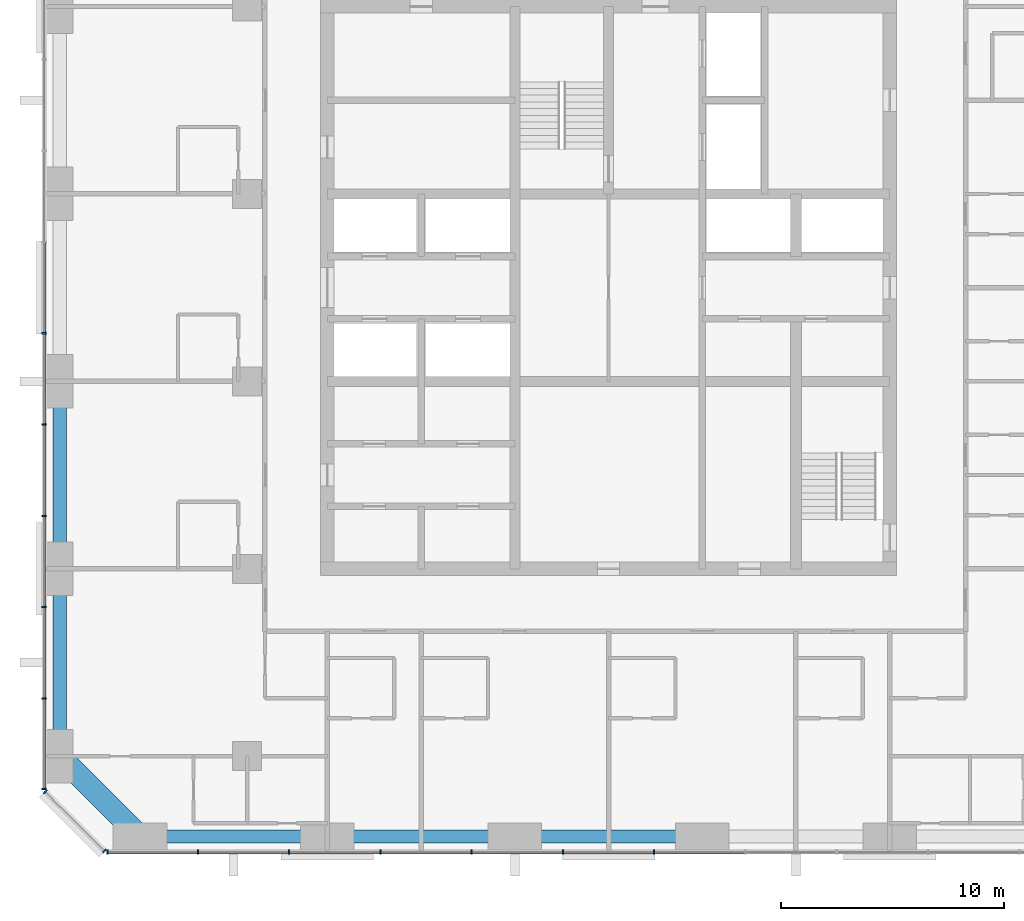
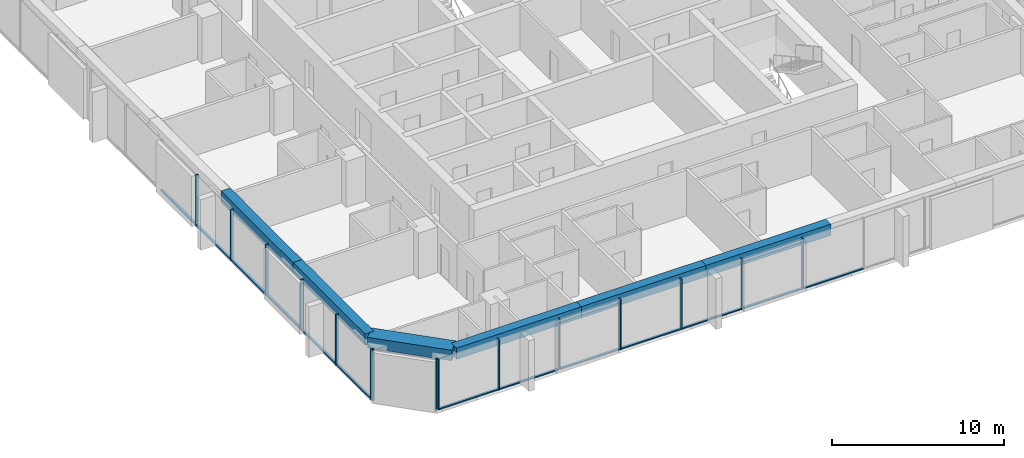
# One storey, part 2 of 13: 28 members, 6 beams, 3 elements without a shape of their own.
"""IFC4 building model written with IfcOpenShell, lengths in metres."""

from ifc_helpers import new_model, si_unit, direction, frame, origin, origin_2d, place, context, subcontext, project, spatial, rectangle, extrude, material, material_profile, profile_set, type_object, element, aggregate, save


model = new_model("IFC4")

# Units and contexts
model_context = context("Model", 3, precision=1e-05, world=origin(), true_north=direction((0.0, 1.0)))
body_context = subcontext(model_context, "Body", "Model", "MODEL_VIEW")
ifc_project = project(units=[si_unit("LENGTHUNIT", "METRE"), si_unit("AREAUNIT", "SQUARE_METRE"), si_unit("VOLUMEUNIT", "CUBIC_METRE"), si_unit("PLANEANGLEUNIT", "RADIAN"), si_unit("MASSUNIT", "GRAM", prefix="KILO")], contexts=[model_context])

# Site, building, storey
site_placement = place(None, origin())
site = spatial("IfcSite", under=ifc_project, at=site_placement, CompositionType="ELEMENT")
building_placement = place(site_placement, origin())
building = spatial("IfcBuilding", under=site, at=building_placement, Name="Dunama Terrace Hotel", CompositionType="ELEMENT")
storey_placement = place(building_placement, frame((0.0, 0.0, 191.39990234375)))
storey = spatial("IfcBuildingStorey", under=building, at=storey_placement, Name="L49", CompositionType="ELEMENT", Elevation=191.39990234375)

# Curtain wall, members
ifc_material_1 = material(Name="Aluminium curtain wall system", Category="aluminium")
curtain_wall_type = type_object("IfcCurtainWallType", Name="Unitised fritted glass wall CW-C", PredefinedType="NOTDEFINED", material=ifc_material_1)
curtain_wall_1_placement = place(storey_placement, origin())
curtain_wall_1 = element("IfcCurtainWall", 1, at=curtain_wall_1_placement, inside=storey, type_object=curtain_wall_type, Name="Unitised fritted glass wall CW-C L49", PredefinedType="NOTDEFINED")
ifc_material_2 = material(Name="Aluminium mullion", Category="aluminium")
ifc_material_profile_1 = material_profile(ifc_material_2, rectangle(XDim=0.070068359375, YDim=0.199951171875, at=origin_2d()), Name="CWC MULLION 70X200")
ifc_profile_set_1 = profile_set([ifc_material_profile_1], Name="Aluminium mullion")
member_type_1 = type_object("IfcMemberType", Name="CWC mullion 70x200", PredefinedType="MULLION", material=ifc_profile_set_1)
member_1_placement = place(storey_placement, frame((6.93505859375, 4.10009765625, 0.0), z_axis=(0.0, 0.0, 1.0), x_axis=(1.0, 0.0, 0.0)))
member_1 = element("IfcMember", 2, at=member_1_placement, type_object=member_type_1, Name="CWC mullion", PredefinedType="MULLION", context=body_context, shape_type="SweptSolid", body=[
    extrude(rectangle(XDim=0.070068359375, YDim=0.199951171875, at=origin_2d()), origin(), (0.0, 0.0, 1.0), 3.60009765625),
])
member_2_placement = place(storey_placement, frame((10.990966796875, 4.10009765625, 0.0), z_axis=(0.0, 0.0, 1.0), x_axis=(1.0, 0.0, 0.0)))
member_2 = element("IfcMember", 3, at=member_2_placement, type_object=member_type_1, Name="CWC mullion", PredefinedType="MULLION", context=body_context, shape_type="SweptSolid", body=[
    extrude(rectangle(XDim=0.070068359375, YDim=0.199951171875, at=origin_2d()), origin(), (0.0, 0.0, 1.0), 3.60009765625),
])
member_3_placement = place(storey_placement, frame((15.08203125, 4.10009765625, 0.0), z_axis=(0.0, 0.0, 1.0), x_axis=(1.0, 0.0, 0.0)))
member_3 = element("IfcMember", 4, at=member_3_placement, type_object=member_type_1, Name="CWC mullion", PredefinedType="MULLION", context=body_context, shape_type="SweptSolid", body=[
    extrude(rectangle(XDim=0.070068359375, YDim=0.199951171875, at=origin_2d()), origin(), (0.0, 0.0, 1.0), 3.60009765625),
])
member_4_placement = place(storey_placement, frame((19.173095703125, 4.10009765625, 0.0), z_axis=(0.0, 0.0, 1.0), x_axis=(1.0, 0.0, 0.0)))
member_4 = element("IfcMember", 5, at=member_4_placement, type_object=member_type_1, Name="CWC mullion", PredefinedType="MULLION", context=body_context, shape_type="SweptSolid", body=[
    extrude(rectangle(XDim=0.070068359375, YDim=0.199951171875, at=origin_2d()), origin(), (0.0, 0.0, 1.0), 3.60009765625),
])
member_5_placement = place(storey_placement, frame((23.263916015625, 4.10009765625, 0.0), z_axis=(0.0, 0.0, 1.0), x_axis=(1.0, 0.0, 0.0)))
member_5 = element("IfcMember", 6, at=member_5_placement, type_object=member_type_1, Name="CWC mullion", PredefinedType="MULLION", context=body_context, shape_type="SweptSolid", body=[
    extrude(rectangle(XDim=0.070068359375, YDim=0.199951171875, at=origin_2d()), origin(), (0.0, 0.0, 1.0), 3.60009765625),
])
member_6_placement = place(storey_placement, frame((27.35498046875, 4.10009765625, 0.0), z_axis=(0.0, 0.0, 1.0), x_axis=(1.0, 0.0, 0.0)))
member_6 = element("IfcMember", 7, at=member_6_placement, type_object=member_type_1, Name="CWC mullion", PredefinedType="MULLION", context=body_context, shape_type="SweptSolid", body=[
    extrude(rectangle(XDim=0.070068359375, YDim=0.199951171875, at=origin_2d()), origin(), (0.0, 0.0, 1.0), 3.60009765625),
])
member_7_placement = place(storey_placement, frame((31.445068359375, 4.10009765625, 0.0), z_axis=(0.0, 0.0, 1.0), x_axis=(1.0, 0.0, 0.0)))
member_7 = element("IfcMember", 8, at=member_7_placement, type_object=member_type_1, Name="CWC mullion", PredefinedType="MULLION", context=body_context, shape_type="SweptSolid", body=[
    extrude(rectangle(XDim=0.070068359375, YDim=0.199951171875, at=origin_2d()), origin(), (0.0, 0.0, 1.0), 3.60009765625),
])

curtain_wall_2_placement = place(storey_placement, origin())
curtain_wall_2 = element("IfcCurtainWall", 9, at=curtain_wall_2_placement, inside=storey, type_object=curtain_wall_type, Name="Unitised fritted glass wall CW-C L49", PredefinedType="NOTDEFINED")
member_8_placement = place(storey_placement, frame((4.10009765625, 27.35498046875, 0.0), z_axis=(0.0, 0.0, 1.0), x_axis=(0.0, -1.0, 0.0)))
member_8 = element("IfcMember", 10, at=member_8_placement, type_object=member_type_1, Name="CWC mullion", PredefinedType="MULLION", context=body_context, shape_type="SweptSolid", body=[
    extrude(rectangle(XDim=0.070068359375, YDim=0.199951171875, at=origin_2d()), origin(), (0.0, 0.0, 1.0), 3.60009765625),
])
member_9_placement = place(storey_placement, frame((4.10009765625, 23.263916015625, 0.0), z_axis=(0.0, 0.0, 1.0), x_axis=(0.0, -1.0, 0.0)))
member_9 = element("IfcMember", 11, at=member_9_placement, type_object=member_type_1, Name="CWC mullion", PredefinedType="MULLION", context=body_context, shape_type="SweptSolid", body=[
    extrude(rectangle(XDim=0.070068359375, YDim=0.199951171875, at=origin_2d()), origin(), (0.0, 0.0, 1.0), 3.60009765625),
])
member_10_placement = place(storey_placement, frame((4.10009765625, 19.173095703125, 0.0), z_axis=(0.0, 0.0, 1.0), x_axis=(0.0, -1.0, 0.0)))
member_10 = element("IfcMember", 12, at=member_10_placement, type_object=member_type_1, Name="CWC mullion", PredefinedType="MULLION", context=body_context, shape_type="SweptSolid", body=[
    extrude(rectangle(XDim=0.070068359375, YDim=0.199951171875, at=origin_2d()), origin(), (0.0, 0.0, 1.0), 3.60009765625),
])
member_11_placement = place(storey_placement, frame((4.10009765625, 15.08203125, 0.0), z_axis=(0.0, 0.0, 1.0), x_axis=(0.0, -1.0, 0.0)))
member_11 = element("IfcMember", 13, at=member_11_placement, type_object=member_type_1, Name="CWC mullion", PredefinedType="MULLION", context=body_context, shape_type="SweptSolid", body=[
    extrude(rectangle(XDim=0.070068359375, YDim=0.199951171875, at=origin_2d()), origin(), (0.0, 0.0, 1.0), 3.60009765625),
])
member_12_placement = place(storey_placement, frame((4.10009765625, 10.990966796875, 0.0), z_axis=(0.0, 0.0, 1.0), x_axis=(0.0, -1.0, 0.0)))
member_12 = element("IfcMember", 14, at=member_12_placement, type_object=member_type_1, Name="CWC mullion", PredefinedType="MULLION", context=body_context, shape_type="SweptSolid", body=[
    extrude(rectangle(XDim=0.070068359375, YDim=0.199951171875, at=origin_2d()), origin(), (0.0, 0.0, 1.0), 3.60009765625),
])
member_13_placement = place(storey_placement, frame((4.10009765625, 6.93505859375, 0.0), z_axis=(0.0, 0.0, 1.0), x_axis=(0.0, -1.0, 0.0)))
member_13 = element("IfcMember", 15, at=member_13_placement, type_object=member_type_1, Name="CWC mullion", PredefinedType="MULLION", context=body_context, shape_type="SweptSolid", body=[
    extrude(rectangle(XDim=0.070068359375, YDim=0.199951171875, at=origin_2d()), origin(), (0.0, 0.0, 1.0), 3.60009765625),
])

curtain_wall_3_placement = place(storey_placement, origin())
curtain_wall_3 = element("IfcCurtainWall", 16, at=curtain_wall_3_placement, inside=storey, type_object=curtain_wall_type, Name="Unitised fritted glass wall CW-C L49", PredefinedType="NOTDEFINED")
member_14_placement = place(storey_placement, frame((4.154052734375, 6.804931640625, 0.0), z_axis=(0.0, 0.0, 1.0), x_axis=(0.707106781187, -0.707106781187, 0.0)))
member_14 = element("IfcMember", 17, at=member_14_placement, type_object=member_type_1, Name="CWC mullion", PredefinedType="MULLION", context=body_context, shape_type="SweptSolid", body=[
    extrude(rectangle(XDim=0.070068359375, YDim=0.199951171875, at=origin_2d()), origin(), (0.0, 0.0, 1.0), 3.60009765625),
])
member_15_placement = place(storey_placement, frame((6.804931640625, 4.154052734375, 0.0), z_axis=(0.0, 0.0, 1.0), x_axis=(0.707106781187, -0.707106781187, 0.0)))
member_15 = element("IfcMember", 18, at=member_15_placement, type_object=member_type_1, Name="CWC mullion", PredefinedType="MULLION", context=body_context, shape_type="SweptSolid", body=[
    extrude(rectangle(XDim=0.070068359375, YDim=0.199951171875, at=origin_2d()), origin(), (0.0, 0.0, 1.0), 3.60009765625),
])
aggregate(curtain_wall_3, [member_14, member_15])

# Member
ifc_material_3 = material(Name="Aluminium transom", Category="aluminium")
ifc_material_profile_2 = material_profile(ifc_material_3, rectangle(XDim=0.159912109375, YDim=0.080078125, at=origin_2d()), Name="CWC TRANSOM 160X80")
ifc_profile_set_2 = profile_set([ifc_material_profile_2], Name="Aluminium transom")
member_type_2 = type_object("IfcMemberType", Name="CWC transom 160x80", PredefinedType="USERDEFINED", material=ifc_profile_set_2)
member_16_placement = place(storey_placement, frame((6.969970703125, 4.10009765625, 0.0400390625), z_axis=(1.0, 0.0, 0.0), x_axis=(0.0, 1.0, 0.0)))
member_16 = element("IfcMember", 19, at=member_16_placement, type_object=member_type_2, Name="CWC transom", ObjectType="TRANSOM", PredefinedType="USERDEFINED", context=body_context, shape_type="SweptSolid", body=[
    extrude(rectangle(XDim=0.159912109375, YDim=0.080078125, at=origin_2d()), origin(), (0.0, 0.0, 1.0), 3.986083984375),
])

member_17_placement = place(storey_placement, frame((11.02587890625, 4.10009765625, 0.0400390625), z_axis=(1.0, 0.0, 0.0), x_axis=(0.0, 1.0, 0.0)))
member_17 = element("IfcMember", 20, at=member_17_placement, type_object=member_type_2, Name="CWC transom", ObjectType="TRANSOM", PredefinedType="USERDEFINED", context=body_context, shape_type="SweptSolid", body=[
    extrude(rectangle(XDim=0.159912109375, YDim=0.080078125, at=origin_2d()), origin(), (0.0, 0.0, 1.0), 4.021240234375),
])

member_18_placement = place(storey_placement, frame((15.116943359375, 4.10009765625, 0.0400390625), z_axis=(1.0, 0.0, 0.0), x_axis=(0.0, 1.0, 0.0)))
member_18 = element("IfcMember", 21, at=member_18_placement, type_object=member_type_2, Name="CWC transom", ObjectType="TRANSOM", PredefinedType="USERDEFINED", context=body_context, shape_type="SweptSolid", body=[
    extrude(rectangle(XDim=0.159912109375, YDim=0.080078125, at=origin_2d()), origin(), (0.0, 0.0, 1.0), 4.02099609375),
])

member_19_placement = place(storey_placement, frame((19.2080078125, 4.10009765625, 0.0400390625), z_axis=(1.0, 0.0, 0.0), x_axis=(0.0, 1.0, 0.0)))
member_19 = element("IfcMember", 22, at=member_19_placement, type_object=member_type_2, Name="CWC transom", ObjectType="TRANSOM", PredefinedType="USERDEFINED", context=body_context, shape_type="SweptSolid", body=[
    extrude(rectangle(XDim=0.159912109375, YDim=0.080078125, at=origin_2d()), origin(), (0.0, 0.0, 1.0), 4.02099609375),
])

member_20_placement = place(storey_placement, frame((23.299072265625, 4.10009765625, 0.0400390625), z_axis=(1.0, 0.0, 0.0), x_axis=(0.0, 1.0, 0.0)))
member_20 = element("IfcMember", 23, at=member_20_placement, type_object=member_type_2, Name="CWC transom", ObjectType="TRANSOM", PredefinedType="USERDEFINED", context=body_context, shape_type="SweptSolid", body=[
    extrude(rectangle(XDim=0.159912109375, YDim=0.080078125, at=origin_2d()), origin(), (0.0, 0.0, 1.0), 4.02099609375),
])

member_21_placement = place(storey_placement, frame((27.389892578125, 4.10009765625, 0.0400390625), z_axis=(1.0, 0.0, 0.0), x_axis=(0.0, 1.0, 0.0)))
member_21 = element("IfcMember", 24, at=member_21_placement, type_object=member_type_2, Name="CWC transom", ObjectType="TRANSOM", PredefinedType="USERDEFINED", context=body_context, shape_type="SweptSolid", body=[
    extrude(rectangle(XDim=0.159912109375, YDim=0.080078125, at=origin_2d()), origin(), (0.0, 0.0, 1.0), 4.02001953125),
])

member_22_placement = place(storey_placement, frame((31.47998046875, 4.10009765625, 0.0400390625), z_axis=(1.0, 0.0, 0.0), x_axis=(0.0, 1.0, 0.0)))
member_22 = element("IfcMember", 25, at=member_22_placement, type_object=member_type_2, Name="CWC transom", ObjectType="TRANSOM", PredefinedType="USERDEFINED", context=body_context, shape_type="SweptSolid", body=[
    extrude(rectangle(XDim=0.159912109375, YDim=0.080078125, at=origin_2d()), origin(), (0.0, 0.0, 1.0), 4.02099609375),
])

aggregate(curtain_wall_1, [member_1, member_2, member_3, member_4, member_5, member_6, member_7, member_16, member_17, member_18, member_19, member_20, member_21, member_22])

member_23_placement = place(storey_placement, frame((4.10009765625, 31.409912109375, 0.0400390625), z_axis=(0.0, -1.0, 0.0), x_axis=(1.0, 0.0, 0.0)))
member_23 = element("IfcMember", 26, at=member_23_placement, type_object=member_type_2, Name="CWC transom", ObjectType="TRANSOM", PredefinedType="USERDEFINED", context=body_context, shape_type="SweptSolid", body=[
    extrude(rectangle(XDim=0.159912109375, YDim=0.080078125, at=origin_2d()), origin(), (0.0, 0.0, 1.0), 4.02001953125),
])

member_24_placement = place(storey_placement, frame((4.10009765625, 27.320068359375, 0.0400390625), z_axis=(0.0, -1.0, 0.0), x_axis=(1.0, 0.0, 0.0)))
member_24 = element("IfcMember", 27, at=member_24_placement, type_object=member_type_2, Name="CWC transom", ObjectType="TRANSOM", PredefinedType="USERDEFINED", context=body_context, shape_type="SweptSolid", body=[
    extrude(rectangle(XDim=0.159912109375, YDim=0.080078125, at=origin_2d()), origin(), (0.0, 0.0, 1.0), 4.02099609375),
])

member_25_placement = place(storey_placement, frame((4.10009765625, 23.22900390625, 0.0400390625), z_axis=(0.0, -1.0, 0.0), x_axis=(1.0, 0.0, 0.0)))
member_25 = element("IfcMember", 28, at=member_25_placement, type_object=member_type_2, Name="CWC transom", ObjectType="TRANSOM", PredefinedType="USERDEFINED", context=body_context, shape_type="SweptSolid", body=[
    extrude(rectangle(XDim=0.159912109375, YDim=0.080078125, at=origin_2d()), origin(), (0.0, 0.0, 1.0), 4.02099609375),
])

member_26_placement = place(storey_placement, frame((4.10009765625, 19.137939453125, 0.0400390625), z_axis=(0.0, -1.0, 0.0), x_axis=(1.0, 0.0, 0.0)))
member_26 = element("IfcMember", 29, at=member_26_placement, type_object=member_type_2, Name="CWC transom", ObjectType="TRANSOM", PredefinedType="USERDEFINED", context=body_context, shape_type="SweptSolid", body=[
    extrude(rectangle(XDim=0.159912109375, YDim=0.080078125, at=origin_2d()), origin(), (0.0, 0.0, 1.0), 4.02099609375),
])

member_27_placement = place(storey_placement, frame((4.10009765625, 15.047119140625, 0.0400390625), z_axis=(0.0, -1.0, 0.0), x_axis=(1.0, 0.0, 0.0)))
member_27 = element("IfcMember", 30, at=member_27_placement, type_object=member_type_2, Name="CWC transom", ObjectType="TRANSOM", PredefinedType="USERDEFINED", context=body_context, shape_type="SweptSolid", body=[
    extrude(rectangle(XDim=0.159912109375, YDim=0.080078125, at=origin_2d()), origin(), (0.0, 0.0, 1.0), 4.021240234375),
])

member_28_placement = place(storey_placement, frame((4.10009765625, 10.9560546875, 0.0400390625), z_axis=(0.0, -1.0, 0.0), x_axis=(1.0, 0.0, 0.0)))
member_28 = element("IfcMember", 31, at=member_28_placement, type_object=member_type_2, Name="CWC transom", ObjectType="TRANSOM", PredefinedType="USERDEFINED", context=body_context, shape_type="SweptSolid", body=[
    extrude(rectangle(XDim=0.159912109375, YDim=0.080078125, at=origin_2d()), origin(), (0.0, 0.0, 1.0), 3.986083984375),
])

aggregate(curtain_wall_2, [member_8, member_9, member_10, member_11, member_12, member_13, member_23, member_24, member_25, member_26, member_27, member_28])

# Beams
ifc_material_4 = material(Name="Concrete C50/60", Category="concrete")
ifc_material_profile_3 = material_profile(ifc_material_4, rectangle(XDim=1.0, YDim=0.75, at=origin_2d()), Name="RC 1000x750")
ifc_profile_set_3 = profile_set([ifc_material_profile_3], Name="Concrete C50/60")
beam_type_1 = type_object("IfcBeamType", Name="Edge beam RC 1000x750", PredefinedType="SPANDREL", material=ifc_profile_set_3)
beam_1_placement = place(storey_placement, frame((8.39990234375, 4.800048828125, 3.22509765625), z_axis=(-0.707106781187, 0.707106781187, 0.0), x_axis=(-0.707106781187, -0.707106781187, 0.0)))
element("IfcBeam", 32, at=beam_1_placement, inside=storey, type_object=beam_type_1, Name="Corner edge beam under L50", PredefinedType="SPANDREL", context=body_context, shape_type="SweptSolid", body=[
    extrude(rectangle(XDim=1.0, YDim=0.75, at=origin_2d()), origin(), (0.0, 0.0, 1.0), 5.091064453125),
])
ifc_material_5 = material(Name="Concrete C40/50", Category="concrete")
ifc_material_profile_4 = material_profile(ifc_material_5, rectangle(XDim=0.60009765625, YDim=0.800048828125, at=origin_2d()), Name="RC 600x800")
ifc_profile_set_4 = profile_set([ifc_material_profile_4], Name="Concrete C40/50")
beam_type_2 = type_object("IfcBeamType", Name="Edge beam RC 600x800", PredefinedType="SPANDREL", material=ifc_profile_set_4)
beam_2_placement = place(storey_placement, frame((4.800048828125, 8.39990234375, 3.2001953125), z_axis=(0.0, 1.0, 0.0), x_axis=(-1.0, 0.0, 0.0)))
element("IfcBeam", 33, at=beam_2_placement, inside=storey, type_object=beam_type_2, Name="Edge beam under L50", PredefinedType="SPANDREL", context=body_context, shape_type="SweptSolid", body=[
    extrude(rectangle(XDim=0.60009765625, YDim=0.800048828125, at=origin_2d()), origin(), (0.0, 0.0, 1.0), 8.400146484375),
])
beam_3_placement = place(storey_placement, frame((4.800048828125, 16.800048828125, 3.2001953125), z_axis=(0.0, 1.0, 0.0), x_axis=(-1.0, 0.0, 0.0)))
element("IfcBeam", 34, at=beam_3_placement, inside=storey, type_object=beam_type_2, Name="Edge beam under L50", PredefinedType="SPANDREL", context=body_context, shape_type="SweptSolid", body=[
    extrude(rectangle(XDim=0.60009765625, YDim=0.800048828125, at=origin_2d()), origin(), (0.0, 0.0, 1.0), 8.39990234375),
])
beam_4_placement = place(storey_placement, frame((8.39990234375, 4.800048828125, 3.2001953125), z_axis=(1.0, 0.0, 0.0), x_axis=(0.0, 1.0, 0.0)))
element("IfcBeam", 35, at=beam_4_placement, inside=storey, type_object=beam_type_2, Name="Edge beam under L50", PredefinedType="SPANDREL", context=body_context, shape_type="SweptSolid", body=[
    extrude(rectangle(XDim=0.60009765625, YDim=0.800048828125, at=origin_2d()), origin(), (0.0, 0.0, 1.0), 8.400146484375),
])
beam_5_placement = place(storey_placement, frame((16.800048828125, 4.800048828125, 3.2001953125), z_axis=(1.0, 0.0, 0.0), x_axis=(0.0, 1.0, 0.0)))
element("IfcBeam", 36, at=beam_5_placement, inside=storey, type_object=beam_type_2, Name="Edge beam under L50", PredefinedType="SPANDREL", context=body_context, shape_type="SweptSolid", body=[
    extrude(rectangle(XDim=0.60009765625, YDim=0.800048828125, at=origin_2d()), origin(), (0.0, 0.0, 1.0), 8.39990234375),
])
beam_6_placement = place(storey_placement, frame((25.199951171875, 4.800048828125, 3.2001953125), z_axis=(1.0, 0.0, 0.0), x_axis=(0.0, 1.0, 0.0)))
element("IfcBeam", 37, at=beam_6_placement, inside=storey, type_object=beam_type_2, Name="Edge beam under L50", PredefinedType="SPANDREL", context=body_context, shape_type="SweptSolid", body=[
    extrude(rectangle(XDim=0.60009765625, YDim=0.800048828125, at=origin_2d()), origin(), (0.0, 0.0, 1.0), 8.400146484375),
])

save(model, "model.ifc")
